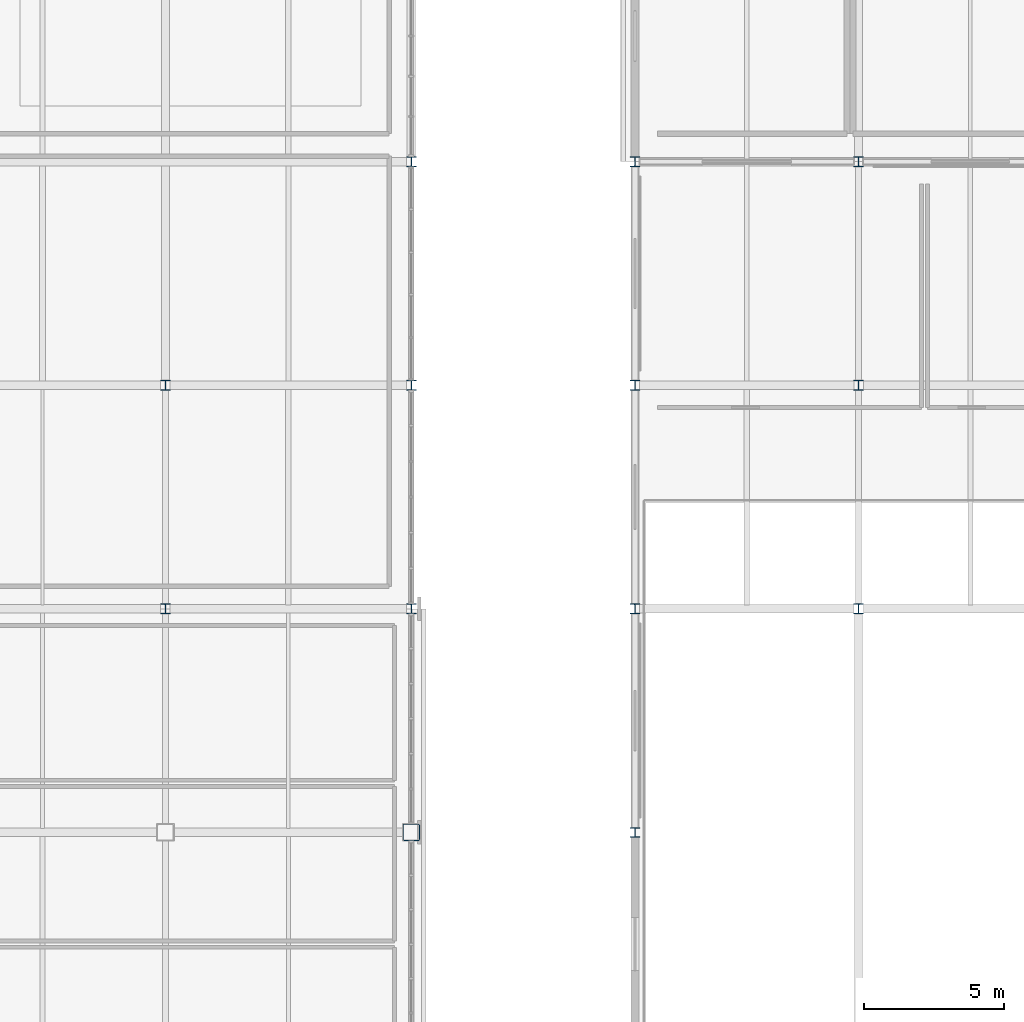
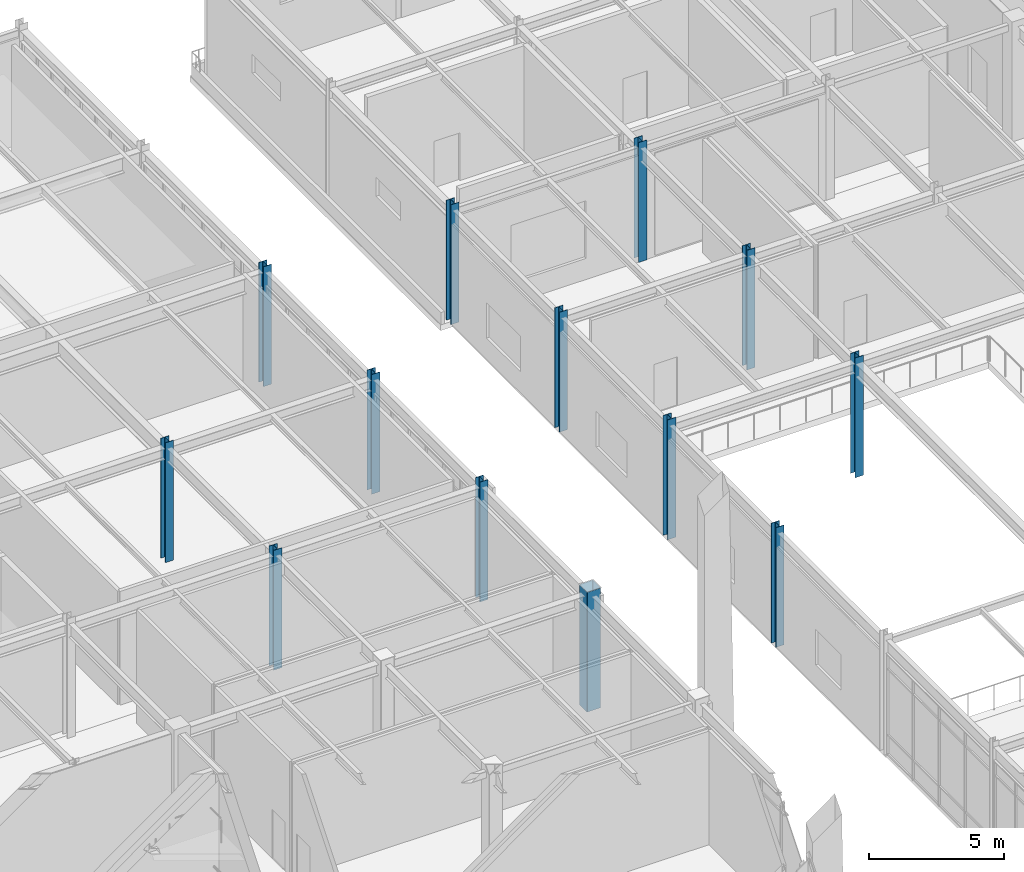
# One storey, part 13 of 184: 13 columns.
"""IFC4 building model written with IfcOpenShell, lengths in metres."""

from ifc_helpers import new_model, si_unit, direction, frame, origin, origin_2d, place, context, subcontext, project, spatial, hollow_rectangle, i_section, extrude, material, material_profile, profile_set, type_object, element, save


model = new_model("IFC4")

# Units and contexts
model_context = context("Model", 3, precision=1e-05, world=origin(), true_north=direction((0.0, 1.0)))
body_context = subcontext(model_context, "Body", "Model", "MODEL_VIEW")
ifc_project = project(units=[si_unit("LENGTHUNIT", "METRE"), si_unit("AREAUNIT", "SQUARE_METRE"), si_unit("VOLUMEUNIT", "CUBIC_METRE"), si_unit("PLANEANGLEUNIT", "RADIAN"), si_unit("MASSUNIT", "GRAM", prefix="KILO")], contexts=[model_context])

# Site, building, storey
site_placement = place(None, origin())
site = spatial("IfcSite", under=ifc_project, at=site_placement, CompositionType="ELEMENT")
building_placement = place(site_placement, origin())
building = spatial("IfcBuilding", under=site, at=building_placement, Name="Zhaolan Boulevard Law Courts", CompositionType="ELEMENT")
storey_placement = place(building_placement, frame((0.0, 0.0, 5.39990234375)))
storey = spatial("IfcBuildingStorey", under=building, at=storey_placement, Name="L01", CompositionType="ELEMENT", Elevation=5.39990234375)

# Columns
ifc_material_1 = material(Name="Structural steel Q390B", Category="steel")
ifc_material_profile_1 = material_profile(ifc_material_1, hollow_rectangle(XDim=0.60009765625, YDim=0.60009765625, WallThickness=0.02392578125, InnerFilletRadius=0.02392578125, OuterFilletRadius=0.048095703125, at=origin_2d()), Name="BOX600x600x24")
ifc_profile_set_1 = profile_set([ifc_material_profile_1], Name="Structural steel Q390B")
column_type_1 = type_object("IfcColumnType", Name="COL BOX600", PredefinedType="COLUMN", material=ifc_profile_set_1)
column_placement = place(storey_placement, frame((44.0, 70.0, 0.0), z_axis=(0.0, 0.0, 1.0), x_axis=(1.0, 0.0, 0.0)))
element("IfcColumn", 1, at=column_placement, inside=storey, type_object=column_type_1, Name="Column C-6K (L01)", PredefinedType="COLUMN", context=body_context, shape_type="SweptSolid", body=[
    extrude(hollow_rectangle(XDim=0.60009765625, YDim=0.60009765625, WallThickness=0.02392578125, InnerFilletRadius=0.02392578125, OuterFilletRadius=0.048095703125, at=origin_2d()), origin(), (0.0, 0.0, 1.0), 5.400146484375),
])
ifc_material_2 = material(Name="Structural steel Q355B", Category="steel")
ifc_material_profile_2 = material_profile(ifc_material_2, i_section(OverallWidth=0.35009765625, OverallDepth=0.35009765625, WebThickness=0.011962890625, FlangeThickness=0.01904296875, FilletRadius=0.02001953125, at=origin_2d()), Name="HW350x350")
ifc_profile_set_2 = profile_set([ifc_material_profile_2], Name="Structural steel Q355B")
column_type_2 = type_object("IfcColumnType", Name="COL HW350", PredefinedType="COLUMN", material=ifc_profile_set_2)
for number, where, z_axis, x_axis, name in (
    (2, (35.199951171875, 78.0, 0.0), (0.0, 0.0, 1.0), (1.0, 0.0, 0.0), "Column C-5L (L01)"),
    (3, (35.199951171875, 86.0, 0.0), (0.0, 0.0, 1.0), (1.0, 0.0, 0.0), "Column C-5M (L01)"),
    (4, (44.0, 78.0, 0.0), (0.0, 0.0, 1.0), (1.0, 0.0, 0.0), "Column C-6L (L01)"),
    (5, (44.0, 86.0, 0.0), (0.0, 0.0, 1.0), (1.0, 0.0, 0.0), "Column C-6M (L01)"),
    (6, (44.0, 94.0, 0.0), (0.0, 0.0, 1.0), (1.0, 0.0, 0.0), "Column C-6N (L01)"),
    (7, (52.0, 70.0, 0.0), (0.0, 0.0, 1.0), (1.0, 0.0, 0.0), "Column C-7K (L01)"),
    (8, (52.0, 78.0, 0.0), (0.0, 0.0, 1.0), (1.0, 0.0, 0.0), "Column C-7L (L01)"),
    (9, (52.0, 86.0, 0.0), (0.0, 0.0, 1.0), (1.0, 0.0, 0.0), "Column C-7M (L01)"),
    (10, (52.0, 94.0, 0.0), (0.0, 0.0, 1.0), (1.0, 0.0, 0.0), "Column C-7N (L01)"),
    (11, (60.0, 78.0, 0.0), (0.0, 0.0, 1.0), (1.0, 0.0, 0.0), "Column C-8L (L01)"),
    (12, (60.0, 86.0, 0.0), (0.0, 0.0, 1.0), (1.0, 0.0, 0.0), "Column C-8M (L01)"),
    (13, (60.0, 94.0, 0.0), (0.0, 0.0, 1.0), (1.0, 0.0, 0.0), "Column C-8N (L01)"),
):
    element("IfcColumn", number, at=place(storey_placement, frame(where, z_axis=z_axis, x_axis=x_axis)), inside=storey, type_object=column_type_2, Name=name, PredefinedType="COLUMN", context=body_context, shape_type="SweptSolid", body=[
        extrude(i_section(OverallWidth=0.35009765625, OverallDepth=0.35009765625, WebThickness=0.011962890625, FlangeThickness=0.01904296875, FilletRadius=0.02001953125, at=origin_2d()), origin(), (0.0, 0.0, 1.0), 5.400146484375),
    ])

save(model, "model.ifc")
